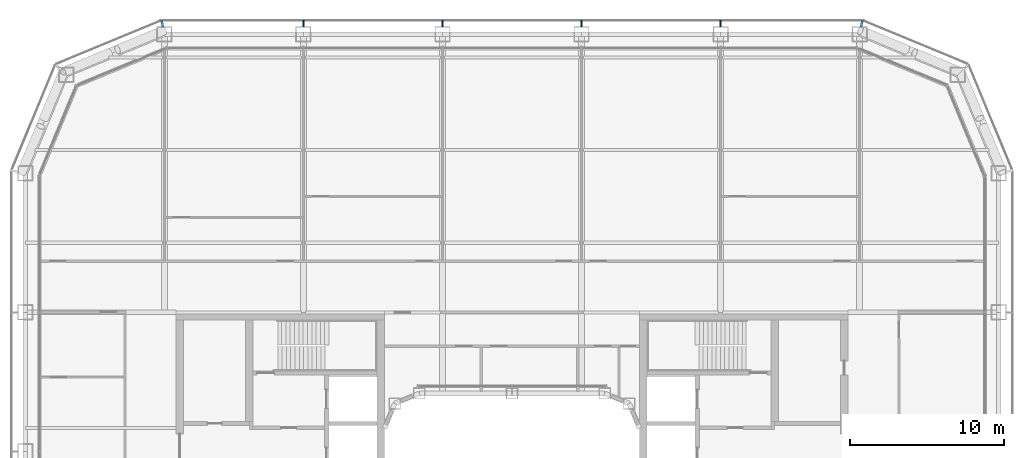
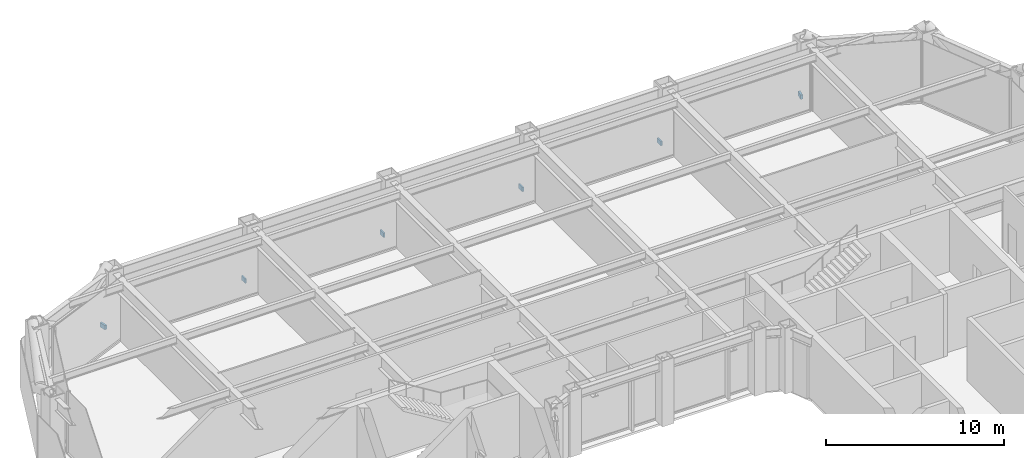
# One storey, part 22 of 27: 6 discrete accessories.
"""IFC4 building model written with IfcOpenShell, lengths in metres."""

from ifc_helpers import new_model, si_unit, direction, frame, origin, origin_2d, place, context, subcontext, project, spatial, rectangle, extrude, material, type_object, element, save


model = new_model("IFC4")

# Units and contexts
model_context = context("Model", 3, precision=1e-05, world=origin(), true_north=direction((0.0, 1.0)))
body_context = subcontext(model_context, "Body", "Model", "MODEL_VIEW")
ifc_project = project(units=[si_unit("LENGTHUNIT", "METRE"), si_unit("AREAUNIT", "SQUARE_METRE"), si_unit("VOLUMEUNIT", "CUBIC_METRE"), si_unit("PLANEANGLEUNIT", "RADIAN"), si_unit("MASSUNIT", "GRAM", prefix="KILO")], contexts=[model_context])

# Site, building, storey
site_placement = place(None, origin())
site = spatial("IfcSite", under=ifc_project, at=site_placement, CompositionType="ELEMENT")
building_placement = place(site_placement, origin())
building = spatial("IfcBuilding", under=site, at=building_placement, Name="Siwar Civic Tower", CompositionType="ELEMENT")
storey_placement = place(building_placement, frame((0.0, 0.0, 89.699951171875)))
storey = spatial("IfcBuildingStorey", under=building, at=storey_placement, Name="L19", CompositionType="ELEMENT", Elevation=89.699951171875)

# Discrete accessories
ifc_material = material(Name="Stainless steel 316", Category="steel")
discrete_accessory_type = type_object("IfcDiscreteAccessoryType", Name="ENV-BRACKET", PredefinedType="BRACKET", material=ifc_material)
for number, where, z_axis, x_axis, name in (
    (1, (13.5, 32.18994140625, -0.14990234375), (0.0, 0.0, 1.0), (0.0, 1.0, 0.0), "Bracket outer skin joint N-01"),
    (2, (4.5, 32.18994140625, -0.14990234375), (0.0, 0.0, 1.0), (0.0, 1.0, 0.0), "Bracket outer skin joint N-02"),
    (3, (-4.5, 32.18994140625, -0.14990234375), (0.0, 0.0, 1.0), (0.0, 1.0, 0.0), "Bracket outer skin joint N-03"),
    (4, (-13.5, 32.18994140625, -0.14990234375), (0.0, 0.0, 1.0), (0.0, 1.0, 0.0), "Bracket outer skin joint N-04"),
):
    element("IfcDiscreteAccessory", number, at=place(storey_placement, frame(where, z_axis=z_axis, x_axis=x_axis)), inside=storey, type_object=discrete_accessory_type, Name=name, PredefinedType="BRACKET", context=body_context, shape_type="SweptSolid", body=[
        extrude(rectangle(XDim=0.419921875, YDim=0.10009765625, at=origin_2d()), origin(), (0.0, 0.0, 1.0), 0.300048828125),
    ])
for number, where, z_axis, x_axis, name in (
    (5, (22.63720703125, 32.190185546875, -0.14990234375), (0.0, 0.0, 1.0), (0.195090322016, 0.980785280403, 0.0), "Bracket outer skin joint V06"),
    (6, (-22.63720703125, 32.190185546875, -0.14990234375), (0.0, 0.0, 1.0), (-0.195090322016, 0.980785280403, 0.0), "Bracket outer skin joint V07"),
):
    element("IfcDiscreteAccessory", number, at=place(storey_placement, frame(where, z_axis=z_axis, x_axis=x_axis)), inside=storey, type_object=discrete_accessory_type, Name=name, PredefinedType="BRACKET", context=body_context, shape_type="SweptSolid", body=[
        extrude(rectangle(XDim=0.427734375, YDim=0.13720703125, at=origin_2d()), origin(), (0.0, 0.0, 1.0), 0.300048828125),
    ])

save(model, "model.ifc")
